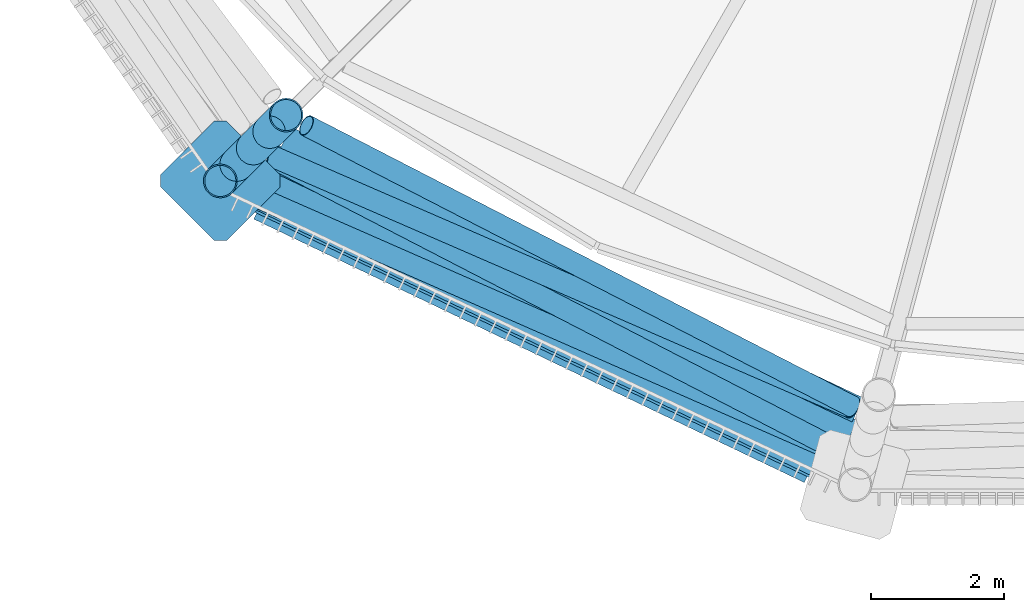
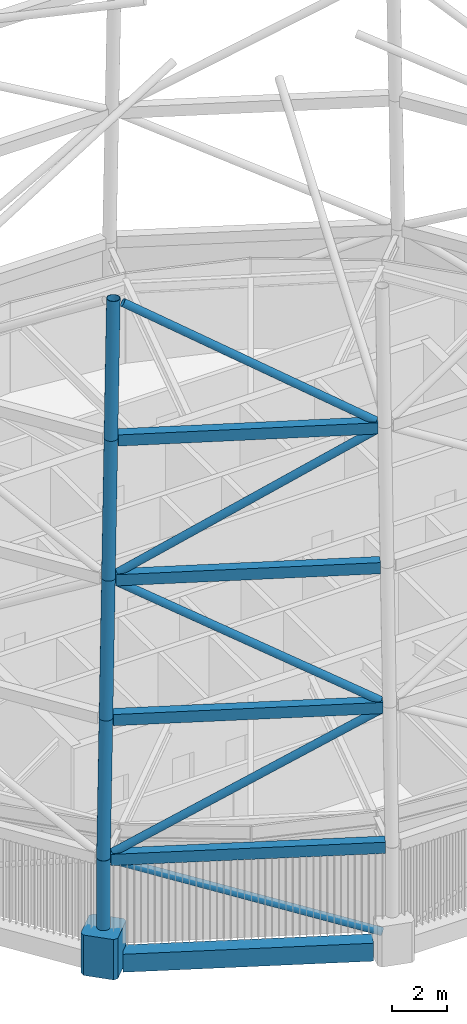
# One storey, part 3 of 71: 11 members, 5 beams.
"""IFC4 building model written with IfcOpenShell, lengths in metres."""

from ifc_helpers import new_model, si_unit, direction, frame, origin, origin_2d, place, context, subcontext, project, spatial, polyline, hollow_rectangle, hollow_circle, outline, extrude, material, material_profile, profile_set, type_object, element, save


model = new_model("IFC4")

# Units and contexts
model_context = context("Model", 3, precision=1e-05, world=origin(), true_north=direction((0.0, 1.0)))
body_context = subcontext(model_context, "Body", "Model", "MODEL_VIEW")
ifc_project = project(units=[si_unit("LENGTHUNIT", "METRE"), si_unit("AREAUNIT", "SQUARE_METRE"), si_unit("VOLUMEUNIT", "CUBIC_METRE"), si_unit("PLANEANGLEUNIT", "RADIAN"), si_unit("MASSUNIT", "GRAM", prefix="KILO")], contexts=[model_context])

# Site, building, storey
site_placement = place(None, origin())
site = spatial("IfcSite", under=ifc_project, at=site_placement, CompositionType="ELEMENT")
building_placement = place(site_placement, origin())
building = spatial("IfcBuilding", under=site, at=building_placement, Name="Rimbun Link Towers", CompositionType="ELEMENT")
storey_placement = place(building_placement, frame((0.0, 0.0, 267.60009765625)))
storey = spatial("IfcBuildingStorey", under=building, at=storey_placement, Name="L65", CompositionType="ELEMENT", Elevation=267.60009765625)

# Members
ifc_material_1 = material(Name="Steel S355J2H", Category="steel")
ifc_material_profile_1 = material_profile(ifc_material_1, hollow_circle(Radius=0.161865234375, WallThickness=0.011962890625, at=origin_2d()), Name="Crown frame brace CHS 324x12")
ifc_profile_set_1 = profile_set([ifc_material_profile_1], Name="Steel S355J2H")
member_type_1 = type_object("IfcMemberType", Name="Crown frame brace CHS 324x12", PredefinedType="BRACE", material=ifc_profile_set_1)
member_1_placement = place(storey_placement, frame((-37.25, -19.104736328125, 0.141357421875), z_axis=(-0.843668551505, 0.403789691529, 0.353803985585), x_axis=(-0.431713068819, -0.902010990072, 0.0)))
element("IfcMember", 1, at=member_1_placement, inside=storey, type_object=member_type_1, Name="CROWN FRAME brace T1 1-07", PredefinedType="BRACE", context=body_context, shape_type="SweptSolid", body=[
    extrude(hollow_circle(Radius=0.161865234375, WallThickness=0.011962890625, at=origin_2d()), origin(), (0.0, 0.0, 1.0), 10.505859375),
])
member_2_placement = place(storey_placement, frame((-46.133056640625, -14.8408203125, 4.197998046875), z_axis=(0.795313894138, -0.349121122495, 0.49557063232), x_axis=(0.401950413178, 0.915661435983, 0.0)))
element("IfcMember", 2, at=member_2_placement, inside=storey, type_object=member_type_1, Name="CROWN FRAME brace T1 2-07", PredefinedType="BRACE", context=body_context, shape_type="SweptSolid", body=[
    extrude(hollow_circle(Radius=0.161865234375, WallThickness=0.011962890625, at=origin_2d()), origin(), (0.0, 0.0, 1.0), 11.3076171875),
])
member_3_placement = place(storey_placement, frame((-37.128662109375, -18.76953125, 10.201416015625), z_axis=(-0.76724991624, 0.396639627186, 0.503988662745), x_axis=(-0.459227638799, -0.888318622884, 0.0)))
element("IfcMember", 3, at=member_3_placement, inside=storey, type_object=member_type_1, Name="CROWN FRAME brace T1 3-07", PredefinedType="BRACE", context=body_context, shape_type="SweptSolid", body=[
    extrude(hollow_circle(Radius=0.161865234375, WallThickness=0.011962890625, at=origin_2d()), origin(), (0.0, 0.0, 1.0), 11.105224609375),
])
member_4_placement = place(storey_placement, frame((-45.64013671875, -14.34326171875, 16.203369140625), z_axis=(0.789702930547, -0.343008338226, 0.50863991329), x_axis=(0.398393223727, 0.917214718203, 0.0)))
element("IfcMember", 4, at=member_4_placement, inside=storey, type_object=member_type_1, Name="CROWN FRAME brace T1 4-07", PredefinedType="BRACE", context=body_context, shape_type="SweptSolid", body=[
    extrude(hollow_circle(Radius=0.161865234375, WallThickness=0.011962890625, at=origin_2d()), origin(), (0.0, 0.0, 1.0), 10.99609375),
])
member_5_placement = place(storey_placement, frame((-36.94482421875, -18.095458984375, 22.206787109375), z_axis=(-0.760786082399, 0.391645265714, 0.517511857519), x_axis=(-0.45770273979, -0.889105281723, 0.0)))
element("IfcMember", 5, at=member_5_placement, inside=storey, type_object=member_type_1, Name="CROWN FRAME brace T1 5-07", PredefinedType="BRACE", context=body_context, shape_type="SweptSolid", body=[
    extrude(hollow_circle(Radius=0.161865234375, WallThickness=0.011962890625, at=origin_2d()), origin(), (0.0, 0.0, 1.0), 10.794189453125),
])
ifc_material_2 = material(Name="Steel S355J2H", Category="steel")
ifc_material_profile_2 = material_profile(ifc_material_2, hollow_circle(Radius=0.25390625, WallThickness=0.02001953125, at=origin_2d()), Name="Crown frame post CHS 508x20")
ifc_profile_set_2 = profile_set([ifc_material_profile_2], Name="Steel S355J2H")
member_type_2 = type_object("IfcMemberType", Name="Crown frame post CHS 508x20", PredefinedType="POST", material=ifc_profile_set_2)
member_6_placement = place(storey_placement, frame((-46.451171875, -14.701171875, 0.0), z_axis=(0.0, 0.0, 1.0), x_axis=(1.0, 0.0, 0.0)))
element("IfcMember", 6, at=member_6_placement, inside=storey, type_object=member_type_2, Name="CROWN FRAME post T1 1-07", PredefinedType="POST", context=body_context, shape_type="SweptSolid", body=[
    extrude(hollow_circle(Radius=0.25390625, WallThickness=0.02001953125, at=origin_2d()), origin(), (0.0, 0.0, 1.0), 4.0),
])
for number, where, z_axis, x_axis, name in (
    (7, (-46.451171875, -14.701171875, 4.0), (0.041189705162, 0.041189705162, 0.99830196653), (-0.707106781187, 0.707106781187, 0.0), "CROWN FRAME post T1 2-07"),
    (8, (-46.20361328125, -14.45361328125, 10.0), (0.041189705162, 0.041189705162, 0.99830196653), (-0.707106781187, 0.707106781187, 0.0), "CROWN FRAME post T1 3-07"),
    (9, (-45.9560546875, -14.2060546875, 16.0), (0.041189705162, 0.041189705162, 0.99830196653), (-0.707106781187, 0.707106781187, 0.0), "CROWN FRAME post T1 4-07"),
    (10, (-45.70849609375, -13.95849609375, 22.0), (0.041149221782, 0.041149221782, 0.998305305552), (-0.707106781187, 0.707106781187, 0.0), "CROWN FRAME post T1 5-07"),
):
    element("IfcMember", number, at=place(storey_placement, frame(where, z_axis=z_axis, x_axis=x_axis)), inside=storey, type_object=member_type_2, Name=name, PredefinedType="POST", context=body_context, shape_type="SweptSolid", body=[
        extrude(hollow_circle(Radius=0.25390625, WallThickness=0.02001953125, at=origin_2d()), origin(), (0.0, 0.0, 1.0), 6.01025390625),
    ])

# Beams
ifc_material_3 = material(Name="Steel S355J2", Category="steel")
ifc_material_profile_3 = material_profile(ifc_material_3, hollow_rectangle(XDim=0.39990234375, YDim=0.5, WallThickness=0.02001953125, at=origin_2d()), Name="Crown frame ring beam BOX 400x500x20")
ifc_profile_set_3 = profile_set([ifc_material_profile_3], Name="Steel S355J2")
beam_type_1 = type_object("IfcBeamType", Name="Crown frame ring beam BOX 400x500x20", PredefinedType="BEAM", material=ifc_profile_set_3)
beam_1_placement = place(storey_placement, frame((-46.221923828125, -14.810791015625, 4.0), z_axis=(0.902020502404, -0.431693193418, 0.0), x_axis=(0.431693193418, 0.902020502404, 0.0)))
element("IfcBeam", 11, at=beam_1_placement, inside=storey, type_object=beam_type_1, Name="CROWN FRAME ring beam T1 1-07", PredefinedType="BEAM", context=body_context, shape_type="SweptSolid", body=[
    extrude(hollow_rectangle(XDim=0.39990234375, YDim=0.5, WallThickness=0.02001953125, at=origin_2d()), origin(), (0.0, 0.0, 1.0), 10.066650390625),
])
beam_2_placement = place(storey_placement, frame((-45.974365234375, -14.56298828125, 10.0), z_axis=(0.902599252642, -0.430481810453, 0.0), x_axis=(0.430481810453, 0.902599252642, 0.0)))
element("IfcBeam", 12, at=beam_2_placement, inside=storey, type_object=beam_type_1, Name="CROWN FRAME ring beam T1 2-07", PredefinedType="BEAM", context=body_context, shape_type="SweptSolid", body=[
    extrude(hollow_rectangle(XDim=0.39990234375, YDim=0.5, WallThickness=0.02001953125, at=origin_2d()), origin(), (0.0, 0.0, 1.0), 9.88623046875),
])
beam_3_placement = place(storey_placement, frame((-45.726806640625, -14.315185546875, 16.0), z_axis=(0.903193160089, -0.429234336427, 0.0), x_axis=(0.429234336427, 0.903193160089, 0.0)))
element("IfcBeam", 13, at=beam_3_placement, inside=storey, type_object=beam_type_1, Name="CROWN FRAME ring beam T1 3-07", PredefinedType="BEAM", context=body_context, shape_type="SweptSolid", body=[
    extrude(hollow_rectangle(XDim=0.39990234375, YDim=0.5, WallThickness=0.02001953125, at=origin_2d()), origin(), (0.0, 0.0, 1.0), 9.705810546875),
])
beam_4_placement = place(storey_placement, frame((-45.47900390625, -14.0673828125, 22.0), z_axis=(0.903817675127, -0.42791776094, 0.0), x_axis=(0.42791776094, 0.903817675127, 0.0)))
element("IfcBeam", 14, at=beam_4_placement, inside=storey, type_object=beam_type_1, Name="CROWN FRAME ring beam T1 4-07", PredefinedType="BEAM", context=body_context, shape_type="SweptSolid", body=[
    extrude(hollow_rectangle(XDim=0.39990234375, YDim=0.5, WallThickness=0.02001953125, at=origin_2d()), origin(), (0.0, 0.0, 1.0), 9.525146484375),
])

# Member
ifc_material_4 = material(Name="Cast steel G20Mn5+QT, Rp0.2 300 MPa", Category="steel")
ifc_material_profile_4 = material_profile(ifc_material_4, outline(polyline([(0.699951171875, -0.570068359375), (0.699951171875, 0.570068359375), (0.570068359375, 0.699951171875), (-0.570068359375, 0.699951171875), (-0.699951171875, 0.570068359375), (-0.699951171875, -0.570068359375), (-0.570068359375, -0.699951171875), (0.570068359375, -0.699951171875), (0.699951171875, -0.570068359375)])), Name="NODE 1400x1400")
ifc_profile_set_4 = profile_set([ifc_material_profile_4], Name="Cast steel G20Mn5+QT, Rp0.2 300 MPa")
member_type_3 = type_object("IfcMemberType", Name="Diagrid node cast 1400", PredefinedType="USERDEFINED", material=ifc_profile_set_4)
member_7_placement = place(storey_placement, frame((-46.451171875, -14.701171875, -0.900146484375), z_axis=(0.0, 0.0, 1.0), x_axis=(-0.707106781187, -0.707106781187, 0.0)))
element("IfcMember", 15, at=member_7_placement, inside=storey, type_object=member_type_3, Name="Diagrid node L65 15", ObjectType="Diagrid node", PredefinedType="USERDEFINED", context=body_context, shape_type="SweptSolid", body=[
    extrude(outline(polyline([(0.699951171875, -0.570068359375), (0.699951171875, 0.570068359375), (0.570068359375, 0.699951171875), (-0.570068359375, 0.699951171875), (-0.699951171875, 0.570068359375), (-0.699951171875, -0.570068359375), (-0.570068359375, -0.699951171875), (0.570068359375, -0.699951171875), (0.699951171875, -0.570068359375)])), origin(), (0.0, 0.0, 1.0), 1.800048828125),
])

# Beam
ifc_material_5 = material(Name="Steel S355J2", Category="steel")
ifc_material_profile_5 = material_profile(ifc_material_5, hollow_rectangle(XDim=0.60009765625, YDim=0.800048828125, WallThickness=0.0400390625, at=origin_2d()), Name="Exoskeleton ring girder BOX 600x800x40")
ifc_profile_set_5 = profile_set([ifc_material_profile_5], Name="Steel S355J2")
beam_type_2 = type_object("IfcBeamType", Name="Exoskeleton ring girder BOX 600x800x40", PredefinedType="BEAM", material=ifc_profile_set_5)
beam_5_placement = place(storey_placement, frame((-45.819580078125, -15.00341796875, -0.56005859375), z_axis=(0.902021160165, -0.431691819026, 0.0), x_axis=(0.431691819026, 0.902021160165, 0.0)))
element("IfcBeam", 16, at=beam_5_placement, inside=storey, type_object=beam_type_2, Name="Exoskeleton ring girder L65 07", PredefinedType="BEAM", context=body_context, shape_type="SweptSolid", body=[
    extrude(hollow_rectangle(XDim=0.60009765625, YDim=0.800048828125, WallThickness=0.0400390625, at=origin_2d()), origin(), (0.0, 0.0, 1.0), 9.1748046875),
])

save(model, "model.ifc")
